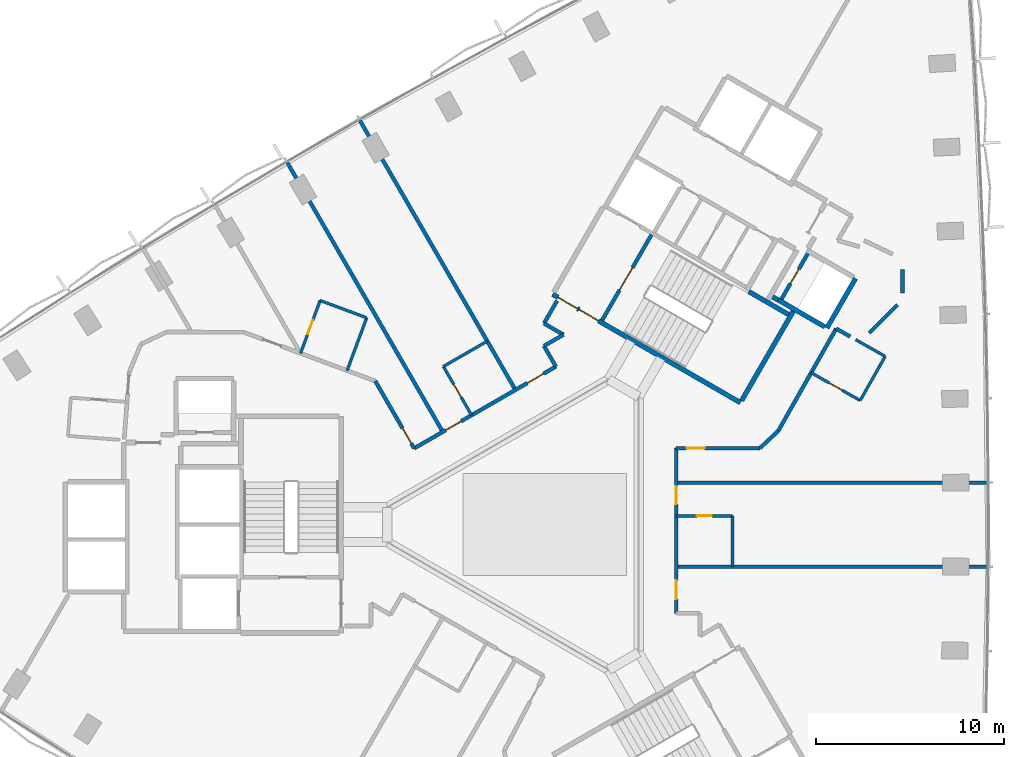
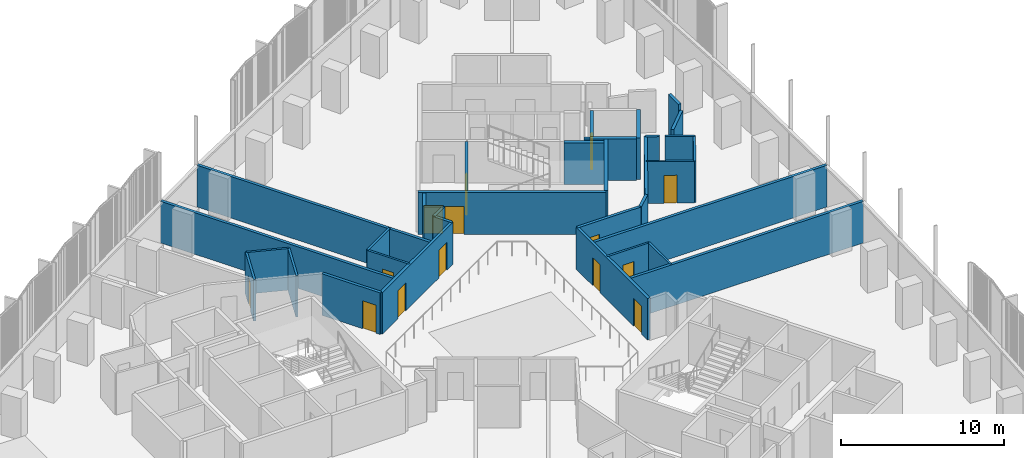
# One storey, part 10 of 15: 35 walls, 14 doors, 14 openings.
"""IFC4 building model written with IfcOpenShell, lengths in metres."""

from ifc_helpers import new_model, si_unit, direction, frame, frame_2d, origin, place, context, subcontext, project, spatial, rectangle, extrude, material, layer, layer_set, type_object, element, fill, save


model = new_model("IFC4")

# Units and contexts
model_context = context("Model", 3, precision=1e-05, world=origin(), true_north=direction((0.0, 1.0)))
body_context = subcontext(model_context, "Body", "Model", "MODEL_VIEW")
ifc_project = project(units=[si_unit("LENGTHUNIT", "METRE"), si_unit("AREAUNIT", "SQUARE_METRE"), si_unit("VOLUMEUNIT", "CUBIC_METRE"), si_unit("PLANEANGLEUNIT", "RADIAN"), si_unit("MASSUNIT", "GRAM", prefix="KILO")], contexts=[model_context])

# Site, building, storey
site_placement = place(None, origin())
site = spatial("IfcSite", under=ifc_project, at=site_placement, CompositionType="ELEMENT")
building_placement = place(site_placement, origin())
building = spatial("IfcBuilding", under=site, at=building_placement, Name="Tamra Quay Hotel Tower", CompositionType="ELEMENT")
storey_placement = place(building_placement, frame((0.0, 0.0, 35.0)))
storey = spatial("IfcBuildingStorey", under=building, at=storey_placement, Name="L06", CompositionType="ELEMENT", Elevation=35.0)

# Wall, opening, door
ifc_material_1 = material(Name="Concrete M70", Category="concrete")
ifc_layer_1 = layer(ifc_material_1, 0.199951171875)
ifc_layer_set_1 = layer_set([ifc_layer_1], Name="Concrete M70 core wall 200")
wall_type_1 = type_object("IfcWallType", Name="Concrete M70 core wall 200", PredefinedType="SHEAR", material=ifc_layer_set_1)
wall_1_placement = place(storey_placement, frame((3.056640625, 10.89453125, 0.0), z_axis=(0.0, 0.0, 1.0), x_axis=(0.499989418164, 0.866031513124, 0.0)))
wall_1 = element("IfcWall", 1, at=wall_1_placement, inside=storey, type_object=wall_type_1, Name="CW2", PredefinedType="SHEAR", context=body_context, shape_type="SweptSolid", body=[
    extrude(rectangle(XDim=5.2509765625, YDim=0.199951171875, at=frame_2d((2.62548828125, 0.0))), origin(), (0.0, 0.0, 1.0), 3.125),
])
opening_1_placement = place(wall_1_placement, frame((1.84912109375, 0.0, 0.0)))
opening_1 = element("IfcOpeningElement", 2, at=opening_1_placement, cuts=wall_1, Name="Opening FD2", PredefinedType="OPENING", context=body_context, shape_type="SweptSolid", body=[
    extrude(rectangle(XDim=1.39990234375, YDim=2.10009765625, at=frame_2d((0.699951171875, 1.050048828125))), frame((0.0, 0.10986328125, 0.0), z_axis=(0.0, -1.0, 0.0), x_axis=(1.0, 0.0, 0.0)), (0.0, 0.0, 1.0), 0.219970703125),
])
ifc_material_2 = material(Name="Core door FD2 1400x2100 LH")
door_type_1 = type_object("IfcDoorType", Name="Core door FD2 1400x2100 LH", OperationType="NOTDEFINED", PredefinedType="DOOR", material=ifc_material_2)
door_1_placement = place(opening_1_placement, origin())
door_1 = element("IfcDoor", 3, at=door_1_placement, inside=storey, type_object=door_type_1, Name="FD2", OperationType="SINGLE_SWING_LEFT", OverallHeight=2.10009765625, OverallWidth=1.39990234375, PredefinedType="DOOR", context=body_context, shape_type="SweptSolid", body=[
    extrude(rectangle(XDim=1.39990234375, YDim=2.10009765625, at=frame_2d((0.699951171875, 1.050048828125))), frame((0.0, 0.02490234375, 0.0), z_axis=(0.0, -1.0, 0.0), x_axis=(1.0, 0.0, 0.0)), (0.0, 0.0, 1.0), 0.050048828125),
])
fill(opening_1, door_1)

wall_2_placement = place(storey_placement, frame((14.0078125, 14.442138671875, 0.0), z_axis=(0.0, 0.0, 1.0), x_axis=(-0.499986818241, -0.866033014143, 0.0)))
wall_2 = element("IfcWall", 4, at=wall_2_placement, inside=storey, type_object=wall_type_1, Name="CW2", PredefinedType="SHEAR", context=body_context, shape_type="SweptSolid", body=[
    extrude(rectangle(XDim=2.7978515625, YDim=0.199951171875, at=frame_2d((1.39892578125, 0.0))), origin(), (0.0, 0.0, 1.0), 3.125),
])
opening_2_placement = place(wall_2_placement, frame((0.948974609375, 0.0, 0.0)))
opening_2 = element("IfcOpeningElement", 5, at=opening_2_placement, cuts=wall_2, Name="Opening D1", PredefinedType="OPENING", context=body_context, shape_type="SweptSolid", body=[
    extrude(rectangle(XDim=0.89990234375, YDim=2.10009765625, at=frame_2d((0.449951171875, 1.050048828125))), frame((0.0, 0.10986328125, 0.0), z_axis=(0.0, -1.0, 0.0), x_axis=(1.0, 0.0, 0.0)), (0.0, 0.0, 1.0), 0.219970703125),
])
ifc_material_3 = material(Name="Core door D1 900x2100 RH")
door_type_2 = type_object("IfcDoorType", Name="Core door D1 900x2100 RH", OperationType="NOTDEFINED", PredefinedType="DOOR", material=ifc_material_3)
door_2_placement = place(opening_2_placement, origin())
door_2 = element("IfcDoor", 6, at=door_2_placement, inside=storey, type_object=door_type_2, Name="D1", OperationType="SINGLE_SWING_RIGHT", OverallHeight=2.10009765625, OverallWidth=0.89990234375, PredefinedType="DOOR", context=body_context, shape_type="SweptSolid", body=[
    extrude(rectangle(XDim=0.89990234375, YDim=2.10009765625, at=frame_2d((0.449951171875, 1.050048828125))), frame((0.0, 0.02490234375, 0.0), z_axis=(0.0, -1.0, 0.0), x_axis=(1.0, 0.0, 0.0)), (0.0, 0.0, 1.0), 0.050048828125),
])
fill(opening_2, door_2)

# Wall, openings, doors
ifc_layer_2 = layer(ifc_material_1, 0.25)
ifc_layer_set_2 = layer_set([ifc_layer_2], Name="Concrete M70 core wall 250")
wall_type_2 = type_object("IfcWallType", Name="Concrete M70 core wall 250", PredefinedType="SHEAR", material=ifc_layer_set_2)
wall_3_placement = place(storey_placement, frame((10.419921875, 6.497802734375, 0.0), z_axis=(0.0, 0.0, 1.0), x_axis=(-0.866021906294, 0.500006057782, 0.0)))
wall_3 = element("IfcWall", 7, at=wall_3_placement, inside=storey, type_object=wall_type_2, Name="CW1", PredefinedType="SHEAR", context=body_context, shape_type="SweptSolid", body=[
    extrude(rectangle(XDim=11.550048828125, YDim=0.25, at=frame_2d((5.77490234375, 0.0))), origin(), (0.0, 0.0, 1.0), 3.125),
])
opening_3_placement = place(wall_3_placement, frame((10.02490234375, 0.0, 0.0)))
opening_3 = element("IfcOpeningElement", 8, at=opening_3_placement, cuts=wall_3, Name="Opening FD1", PredefinedType="OPENING", context=body_context, shape_type="SweptSolid", body=[
    extrude(rectangle(XDim=1.199951171875, YDim=2.10009765625, at=frame_2d((0.60009765625, 1.050048828125))), frame((0.0, 0.135009765625, 0.0), z_axis=(0.0, -1.0, 0.0), x_axis=(1.0, 0.0, 0.0)), (0.0, 0.0, 1.0), 0.27001953125),
])
opening_4_placement = place(wall_3_placement, frame((8.724853515625, 0.0, 0.0)))
opening_4 = element("IfcOpeningElement", 9, at=opening_4_placement, cuts=wall_3, Name="Opening FD1", PredefinedType="OPENING", context=body_context, shape_type="SweptSolid", body=[
    extrude(rectangle(XDim=1.199951171875, YDim=2.10009765625, at=frame_2d((0.60009765625, 1.050048828125))), frame((0.0, 0.135009765625, 0.0), z_axis=(0.0, -1.0, 0.0), x_axis=(1.0, 0.0, 0.0)), (0.0, 0.0, 1.0), 0.27001953125),
])
ifc_material_4 = material(Name="Core door FD1 1200x2100 LH")
door_type_3 = type_object("IfcDoorType", Name="Core door FD1 1200x2100 LH", OperationType="NOTDEFINED", PredefinedType="DOOR", material=ifc_material_4)
door_3_placement = place(opening_3_placement, origin())
door_3 = element("IfcDoor", 10, at=door_3_placement, inside=storey, type_object=door_type_3, Name="FD1", OperationType="SINGLE_SWING_LEFT", OverallHeight=2.10009765625, OverallWidth=1.199951171875, PredefinedType="DOOR", context=body_context, shape_type="SweptSolid", body=[
    extrude(rectangle(XDim=1.199951171875, YDim=2.10009765625, at=frame_2d((0.60009765625, 1.050048828125))), frame((0.0, 0.02490234375, 0.0), z_axis=(0.0, -1.0, 0.0), x_axis=(1.0, 0.0, 0.0)), (0.0, 0.0, 1.0), 0.050048828125),
])
fill(opening_3, door_3)
ifc_material_5 = material(Name="Core door FD1 1200x2100 RH")
door_type_4 = type_object("IfcDoorType", Name="Core door FD1 1200x2100 RH", OperationType="NOTDEFINED", PredefinedType="DOOR", material=ifc_material_5)
door_4_placement = place(opening_4_placement, origin())
door_4 = element("IfcDoor", 11, at=door_4_placement, inside=storey, type_object=door_type_4, Name="FD1", OperationType="SINGLE_SWING_RIGHT", OverallHeight=2.10009765625, OverallWidth=1.199951171875, PredefinedType="DOOR", context=body_context, shape_type="SweptSolid", body=[
    extrude(rectangle(XDim=1.199951171875, YDim=2.10009765625, at=frame_2d((0.60009765625, 1.050048828125))), frame((0.0, 0.02490234375, 0.0), z_axis=(0.0, -1.0, 0.0), x_axis=(1.0, 0.0, 0.0)), (0.0, 0.0, 1.0), 0.050048828125),
])
fill(opening_4, door_4)

# Walls
wall_4_placement = place(storey_placement, frame((13.237548828125, 11.3779296875, 0.0), z_axis=(0.0, 0.0, 1.0), x_axis=(-0.500008851346, -0.866020293397, 0.0)))
element("IfcWall", 12, at=wall_4_placement, inside=storey, type_object=wall_type_2, Name="CW1", PredefinedType="SHEAR", context=body_context, shape_type="SweptSolid", body=[
    extrude(rectangle(XDim=5.509765625, YDim=0.25, at=frame_2d((2.7548828125, 0.0))), origin(), (0.0, 0.0, 1.0), 3.125),
])
wall_5_placement = place(storey_placement, frame((16.552001953125, 13.118896484375, 0.0), z_axis=(0.0, 0.0, 1.0), x_axis=(-0.499978833458, -0.866037623948, 0.0)))
element("IfcWall", 13, at=wall_5_placement, inside=storey, type_object=wall_type_2, Name="CW1", PredefinedType="SHEAR", context=body_context, shape_type="SweptSolid", body=[
    extrude(rectangle(XDim=3.050048828125, YDim=0.25, at=frame_2d((1.52490234375, 0.0))), origin(), (0.0, 0.0, 1.0), 3.125),
])
wall_6_placement = place(storey_placement, frame((14.91845703125, 10.540283203125, 0.0), z_axis=(0.0, 0.0, 1.0), x_axis=(-0.866063538972, 0.499933942099, 0.0)))
element("IfcWall", 14, at=wall_6_placement, inside=storey, type_object=wall_type_2, Name="CW1", PredefinedType="SHEAR", context=body_context, shape_type="SweptSolid", body=[
    extrude(rectangle(XDim=2.86474609375, YDim=0.25, at=frame_2d((1.432373046875, 0.0))), origin(), (0.0, 0.0, 1.0), 3.125),
])
wall_7_placement = place(storey_placement, frame((10.865234375, 12.41845703125, 0.0), z_axis=(0.0, 0.0, 1.0), x_axis=(0.866026229868, -0.499998569178, 0.0)))
element("IfcWall", 15, at=wall_7_placement, inside=storey, type_object=wall_type_2, Name="CW1", PredefinedType="SHEAR", context=body_context, shape_type="SweptSolid", body=[
    extrude(rectangle(XDim=2.44921875, YDim=0.25, at=frame_2d((1.224609375, 0.0))), origin(), (0.0, 0.0, 1.0), 3.125),
])
wall_8_placement = place(storey_placement, frame((12.4326171875, 11.9638671875, 0.0), z_axis=(0.0, 0.0, 1.0), x_axis=(-0.866055875208, 0.499947218231, 0.0)))
element("IfcWall", 16, at=wall_8_placement, inside=storey, type_object=wall_type_2, Name="CW1", PredefinedType="SHEAR", context=body_context, shape_type="SweptSolid", body=[
    extrude(rectangle(XDim=0.3447265625, YDim=0.25, at=frame_2d((0.17236328125, 0.0))), origin(), (0.0, 0.0, 1.0), 3.125),
])

# Wall, opening, door
ifc_material_6 = material(Name="Partition corridor wall")
ifc_layer_3 = layer(ifc_material_6, 0.199951171875)
ifc_layer_set_3 = layer_set([ifc_layer_3], Name="Partition corridor wall")
wall_type_3 = type_object("IfcWallType", Name="Partition corridor wall", PredefinedType="PARTITIONING", material=ifc_layer_set_3)
wall_9_placement = place(storey_placement, frame((-9.032958984375, 7.652099609375, 0.0), z_axis=(0.0, 0.0, 1.0), x_axis=(0.500074377092, -0.865982457891, 0.0)))
wall_9 = element("IfcWall", 17, at=wall_9_placement, inside=storey, type_object=wall_type_3, Name="W-C", PredefinedType="PARTITIONING", context=body_context, shape_type="SweptSolid", body=[
    extrude(rectangle(XDim=4.143310546875, YDim=0.199951171875, at=frame_2d((2.07177734375, 0.0))), origin(), (0.0, 0.0, 1.0), 3.125),
])
opening_5_placement = place(wall_9_placement, frame((2.895263671875, 0.0, 0.0)))
opening_5 = element("IfcOpeningElement", 18, at=opening_5_placement, cuts=wall_9, Name="Opening L06-D009", PredefinedType="OPENING", context=body_context, shape_type="SweptSolid", body=[
    extrude(rectangle(XDim=0.949951171875, YDim=2.10009765625, at=frame_2d((0.47509765625, 1.050048828125))), frame((0.0, 0.10986328125, 0.0), z_axis=(0.0, -1.0, 0.0), x_axis=(1.0, 0.0, 0.0)), (0.0, 0.0, 1.0), 0.219970703125),
])
ifc_material_7 = material(Name="Door guest room 950x2100")
door_type_5 = type_object("IfcDoorType", Name="Door guest room 950x2100", OperationType="NOTDEFINED", PredefinedType="DOOR", material=ifc_material_7)
door_5_placement = place(opening_5_placement, frame((0.949951171875, 0.0, 0.0), z_axis=(0.0, 0.0, 1.0), x_axis=(-1.0, 0.0, 0.0)))
door_5 = element("IfcDoor", 19, at=door_5_placement, inside=storey, type_object=door_type_5, Name="L06-D009", OperationType="SINGLE_SWING_LEFT", OverallHeight=2.10009765625, OverallWidth=0.949951171875, PredefinedType="DOOR", context=body_context, shape_type="SweptSolid", body=[
    extrude(rectangle(XDim=0.949951171875, YDim=2.10009765625, at=frame_2d((0.47509765625, 1.050048828125))), frame((0.0, 0.02490234375, 0.0), z_axis=(0.0, -1.0, 0.0), x_axis=(1.0, 0.0, 0.0)), (0.0, 0.0, 1.0), 0.050048828125),
])
fill(opening_5, door_5)

# Wall, openings, doors
wall_10_placement = place(storey_placement, frame((-6.961669921875, 4.06494140625, 0.0), z_axis=(0.0, 0.0, 1.0), x_axis=(0.866089531713, 0.499888910716, 0.0)))
wall_10 = element("IfcWall", 20, at=wall_10_placement, inside=storey, type_object=wall_type_3, Name="W-C", PredefinedType="PARTITIONING", context=body_context, shape_type="SweptSolid", body=[
    extrude(rectangle(XDim=8.71826171875, YDim=0.199951171875, at=frame_2d((4.359130859375, 0.0))), origin(), (0.0, 0.0, 1.0), 3.125),
])
opening_6_placement = place(wall_10_placement, frame((6.96875, 0.0, 0.0)))
opening_6 = element("IfcOpeningElement", 21, at=opening_6_placement, cuts=wall_10, Name="Opening L06-D006", PredefinedType="OPENING", context=body_context, shape_type="SweptSolid", body=[
    extrude(rectangle(XDim=1.0, YDim=2.10009765625, at=frame_2d((0.5, 1.050048828125))), frame((0.0, 0.10986328125, 0.0), z_axis=(0.0, -1.0, 0.0), x_axis=(1.0, 0.0, 0.0)), (0.0, 0.0, 1.0), 0.219970703125),
])
opening_7_placement = place(wall_10_placement, frame((1.949462890625, 0.0, 0.0)))
opening_7 = element("IfcOpeningElement", 22, at=opening_7_placement, cuts=wall_10, Name="Opening L06-D007", PredefinedType="OPENING", context=body_context, shape_type="SweptSolid", body=[
    extrude(rectangle(XDim=0.949951171875, YDim=2.10009765625, at=frame_2d((0.47509765625, 1.050048828125))), frame((0.0, 0.10986328125, 0.0), z_axis=(0.0, -1.0, 0.0), x_axis=(1.0, 0.0, 0.0)), (0.0, 0.0, 1.0), 0.219970703125),
])
ifc_material_8 = material(Name="Door guest room 1000x2100")
door_type_6 = type_object("IfcDoorType", Name="Door guest room 1000x2100", OperationType="NOTDEFINED", PredefinedType="DOOR", material=ifc_material_8)
door_6_placement = place(opening_6_placement, origin())
door_6 = element("IfcDoor", 23, at=door_6_placement, inside=storey, type_object=door_type_6, Name="L06-D006", OperationType="SINGLE_SWING_LEFT", OverallHeight=2.10009765625, OverallWidth=1.0, PredefinedType="DOOR", context=body_context, shape_type="SweptSolid", body=[
    extrude(rectangle(XDim=1.0, YDim=2.10009765625, at=frame_2d((0.5, 1.050048828125))), frame((0.0, 0.02490234375, 0.0), z_axis=(0.0, -1.0, 0.0), x_axis=(1.0, 0.0, 0.0)), (0.0, 0.0, 1.0), 0.050048828125),
])
fill(opening_6, door_6)
door_7_placement = place(opening_7_placement, origin())
door_7 = element("IfcDoor", 24, at=door_7_placement, inside=storey, type_object=door_type_5, Name="L06-D007", OperationType="SINGLE_SWING_LEFT", OverallHeight=2.10009765625, OverallWidth=0.949951171875, PredefinedType="DOOR", context=body_context, shape_type="SweptSolid", body=[
    extrude(rectangle(XDim=0.949951171875, YDim=2.10009765625, at=frame_2d((0.47509765625, 1.050048828125))), frame((0.0, 0.02490234375, 0.0), z_axis=(0.0, -1.0, 0.0), x_axis=(1.0, 0.0, 0.0)), (0.0, 0.0, 1.0), 0.050048828125),
])
fill(opening_7, door_7)

# Walls
wall_11_placement = place(storey_placement, frame((-0.044921875, 9.52197265625, 0.0), z_axis=(0.0, 0.0, 1.0), x_axis=(0.86625675314, 0.499599076899, 0.0)))
element("IfcWall", 25, at=wall_11_placement, inside=storey, type_object=wall_type_3, Name="W-C", PredefinedType="PARTITIONING", context=body_context, shape_type="SweptSolid", body=[
    extrude(rectangle(XDim=1.19921875, YDim=0.199951171875, at=frame_2d((0.599609375, 0.0))), origin(), (0.0, 0.0, 1.0), 3.125),
])
wall_12_placement = place(storey_placement, frame((-0.044921875, 10.721923828125, 0.0), z_axis=(0.0, 0.0, 1.0), x_axis=(0.500107785535, 0.865963164833, 0.0)))
element("IfcWall", 26, at=wall_12_placement, inside=storey, type_object=wall_type_3, Name="W-C", PredefinedType="PARTITIONING", context=body_context, shape_type="SweptSolid", body=[
    extrude(rectangle(XDim=1.389404296875, YDim=0.199951171875, at=frame_2d((0.69482421875, 0.0))), origin(), (0.0, 0.0, 1.0), 3.125),
])
wall_13_placement = place(storey_placement, frame((-0.044921875, 9.52099609375, 0.0), z_axis=(0.0, 0.0, 1.0), x_axis=(0.500094716449, -0.865970712311, 0.0)))
element("IfcWall", 27, at=wall_13_placement, inside=storey, type_object=wall_type_3, Name="W-C", PredefinedType="PARTITIONING", context=body_context, shape_type="SweptSolid", body=[
    extrude(rectangle(XDim=1.267822265625, YDim=0.199951171875, at=frame_2d((0.6337890625, 0.0))), origin(), (0.0, 0.0, 1.0), 3.125),
])
wall_14_placement = place(storey_placement, frame((-0.044921875, 10.720947265625, 0.0), z_axis=(0.0, 0.0, 1.0), x_axis=(0.865992388649, -0.500057179532, 0.0)))
element("IfcWall", 28, at=wall_14_placement, inside=storey, type_object=wall_type_3, Name="W-C", PredefinedType="PARTITIONING", context=body_context, shape_type="SweptSolid", body=[
    extrude(rectangle(XDim=1.199462890625, YDim=0.199951171875, at=frame_2d((0.599609375, 0.0))), origin(), (0.0, 0.0, 1.0), 3.125),
])

# Wall, openings, doors
wall_15_placement = place(storey_placement, frame((7.0, -4.720947265625, 0.0), z_axis=(0.0, 0.0, 1.0), x_axis=(0.0, 1.0, 0.0)))
wall_15 = element("IfcWall", 29, at=wall_15_placement, inside=storey, type_object=wall_type_3, Name="W-C", PredefinedType="PARTITIONING", context=body_context, shape_type="SweptSolid", body=[
    extrude(rectangle(XDim=8.798828125, YDim=0.199951171875, at=frame_2d((4.3994140625, 0.0))), origin(), (0.0, 0.0, 1.0), 3.125),
])
opening_8_placement = place(wall_15_placement, frame((0.7490234375, 0.0, 0.0)))
opening_8 = element("IfcOpeningElement", 30, at=opening_8_placement, cuts=wall_15, Name="Opening L06-D001", PredefinedType="OPENING", context=body_context, shape_type="SweptSolid", body=[
    extrude(rectangle(XDim=1.0, YDim=2.10009765625, at=frame_2d((0.5, 1.050048828125))), frame((0.0, 0.10986328125, 0.0), z_axis=(0.0, -1.0, 0.0), x_axis=(1.0, 0.0, 0.0)), (0.0, 0.0, 1.0), 0.219970703125),
])
opening_9_placement = place(wall_15_placement, frame((5.818115234375, 0.0, 0.0)))
opening_9 = element("IfcOpeningElement", 31, at=opening_9_placement, cuts=wall_15, Name="Opening L06-D002", PredefinedType="OPENING", context=body_context, shape_type="SweptSolid", body=[
    extrude(rectangle(XDim=0.949951171875, YDim=2.10009765625, at=frame_2d((0.47509765625, 1.050048828125))), frame((0.0, 0.10986328125, 0.0), z_axis=(0.0, -1.0, 0.0), x_axis=(1.0, 0.0, 0.0)), (0.0, 0.0, 1.0), 0.219970703125),
])
door_8_placement = place(opening_8_placement, frame((1.0, 0.0, 0.0), z_axis=(0.0, 0.0, 1.0), x_axis=(-1.0, 0.0, 0.0)))
door_8 = element("IfcDoor", 32, at=door_8_placement, inside=storey, type_object=door_type_6, Name="L06-D001", OperationType="SINGLE_SWING_LEFT", OverallHeight=2.10009765625, OverallWidth=1.0, PredefinedType="DOOR", context=body_context, shape_type="SweptSolid", body=[
    extrude(rectangle(XDim=1.0, YDim=2.10009765625, at=frame_2d((0.5, 1.050048828125))), frame((0.0, 0.02490234375, 0.0), z_axis=(0.0, -1.0, 0.0), x_axis=(1.0, 0.0, 0.0)), (0.0, 0.0, 1.0), 0.050048828125),
])
fill(opening_8, door_8)
door_9_placement = place(opening_9_placement, frame((0.949951171875, 0.0, 0.0), z_axis=(0.0, 0.0, 1.0), x_axis=(-1.0, 0.0, 0.0)))
door_9 = element("IfcDoor", 33, at=door_9_placement, inside=storey, type_object=door_type_5, Name="L06-D002", OperationType="SINGLE_SWING_LEFT", OverallHeight=2.10009765625, OverallWidth=0.949951171875, PredefinedType="DOOR", context=body_context, shape_type="SweptSolid", body=[
    extrude(rectangle(XDim=0.949951171875, YDim=2.10009765625, at=frame_2d((0.47509765625, 1.050048828125))), frame((0.0, 0.02490234375, 0.0), z_axis=(0.0, -1.0, 0.0), x_axis=(1.0, 0.0, 0.0)), (0.0, 0.0, 1.0), 0.050048828125),
])
fill(opening_9, door_9)

# Wall, opening, door
wall_16_placement = place(storey_placement, frame((7.0, 4.077880859375, 0.0), z_axis=(0.0, 0.0, 1.0), x_axis=(1.0, 0.0, 0.0)))
wall_16 = element("IfcWall", 34, at=wall_16_placement, inside=storey, type_object=wall_type_3, Name="W-C", PredefinedType="PARTITIONING", context=body_context, shape_type="SweptSolid", body=[
    extrude(rectangle(XDim=4.4580078125, YDim=0.199951171875, at=frame_2d((2.22900390625, 0.0))), origin(), (0.0, 0.0, 1.0), 3.125),
])
opening_10_placement = place(wall_16_placement, frame((0.55810546875, 0.0, 0.0)))
opening_10 = element("IfcOpeningElement", 35, at=opening_10_placement, cuts=wall_16, Name="Opening L06-D004", PredefinedType="OPENING", context=body_context, shape_type="SweptSolid", body=[
    extrude(rectangle(XDim=0.949951171875, YDim=2.10009765625, at=frame_2d((0.47509765625, 1.050048828125))), frame((0.0, 0.10986328125, 0.0), z_axis=(0.0, -1.0, 0.0), x_axis=(1.0, 0.0, 0.0)), (0.0, 0.0, 1.0), 0.219970703125),
])
door_10_placement = place(opening_10_placement, origin())
door_10 = element("IfcDoor", 36, at=door_10_placement, inside=storey, type_object=door_type_5, Name="L06-D004", OperationType="SINGLE_SWING_LEFT", OverallHeight=2.10009765625, OverallWidth=0.949951171875, PredefinedType="DOOR", context=body_context, shape_type="SweptSolid", body=[
    extrude(rectangle(XDim=0.949951171875, YDim=2.10009765625, at=frame_2d((0.47509765625, 1.050048828125))), frame((0.0, 0.02490234375, 0.0), z_axis=(0.0, -1.0, 0.0), x_axis=(1.0, 0.0, 0.0)), (0.0, 0.0, 1.0), 0.050048828125),
])
fill(opening_10, door_10)

# Walls
wall_17_placement = place(storey_placement, frame((11.4580078125, 4.077880859375, 0.0), z_axis=(0.0, 0.0, 1.0), x_axis=(0.729936032318, 0.683515463412, 0.0)))
element("IfcWall", 37, at=wall_17_placement, inside=storey, type_object=wall_type_3, Name="W-C", PredefinedType="PARTITIONING", context=body_context, shape_type="SweptSolid", body=[
    extrude(rectangle(XDim=1.3359375, YDim=0.199951171875, at=frame_2d((0.66796875, 0.0))), origin(), (0.0, 0.0, 1.0), 3.125),
])
wall_18_placement = place(storey_placement, frame((12.43310546875, 4.991943359375, 0.0), z_axis=(0.0, 0.0, 1.0), x_axis=(0.492575945335, 0.870269462912, 0.0)))
element("IfcWall", 38, at=wall_18_placement, inside=storey, type_object=wall_type_3, Name="W-C", PredefinedType="PARTITIONING", context=body_context, shape_type="SweptSolid", body=[
    extrude(rectangle(XDim=6.264892578125, YDim=0.199951171875, at=frame_2d((3.13232421875, 0.0))), origin(), (0.0, 0.0, 1.0), 3.125),
])
wall_19_placement = place(storey_placement, frame((15.51904296875, 10.444091796875, 0.0), z_axis=(0.0, 0.0, 1.0), x_axis=(0.870222202109, -0.492659435063, 0.0)))
element("IfcWall", 39, at=wall_19_placement, inside=storey, type_object=wall_type_3, Name="W-C", PredefinedType="PARTITIONING", context=body_context, shape_type="SweptSolid", body=[
    extrude(rectangle(XDim=0.854736328125, YDim=0.199951171875, at=frame_2d((0.42724609375, 0.0))), origin(), (0.0, 0.0, 1.0), 3.125),
])
wall_20_placement = place(storey_placement, frame((17.287109375, 10.212890625, 0.0), z_axis=(0.0, 0.0, 1.0), x_axis=(0.706819117262, 0.707394328132, 0.0)))
element("IfcWall", 40, at=wall_20_placement, inside=storey, type_object=wall_type_3, Name="W-C", PredefinedType="PARTITIONING", context=body_context, shape_type="SweptSolid", body=[
    extrude(rectangle(XDim=2.1220703125, YDim=0.199951171875, at=frame_2d((1.06103515625, 0.0))), origin(), (0.0, 0.0, 1.0), 3.125),
])
wall_21_placement = place(storey_placement, frame((19.050048828125, 12.34912109375, 0.0), z_axis=(0.0, 0.0, 1.0), x_axis=(0.0, 1.0, 0.0)))
element("IfcWall", 41, at=wall_21_placement, inside=storey, type_object=wall_type_3, Name="W-C", PredefinedType="PARTITIONING", context=body_context, shape_type="SweptSolid", body=[
    extrude(rectangle(XDim=1.25, YDim=0.199951171875, at=frame_2d((0.625, 0.0))), origin(), (0.0, 0.0, 1.0), 3.125),
])

# Wall, opening, door
ifc_material_9 = material(Name="Partition en-suite wall")
ifc_layer_4 = layer(ifc_material_9, 0.14990234375)
ifc_layer_set_4 = layer_set([ifc_layer_4], Name="Partition en-suite wall")
wall_type_4 = type_object("IfcWallType", Name="Partition en-suite wall", PredefinedType="PARTITIONING", material=ifc_layer_set_4)
wall_22_placement = place(storey_placement, frame((-13.012939453125, 9.12890625, 0.0), z_axis=(0.0, 0.0, 1.0), x_axis=(0.347929104424, 0.937520846859, 0.0)))
wall_22 = element("IfcWall", 42, at=wall_22_placement, inside=storey, type_object=wall_type_4, Name="W-E", PredefinedType="PARTITIONING", context=body_context, shape_type="SweptSolid", body=[
    extrude(rectangle(XDim=3.00048828125, YDim=0.14990234375, at=frame_2d((1.500244140625, 0.0))), origin(), (0.0, 0.0, 1.0), 3.125),
])
opening_11_placement = place(wall_22_placement, frame((1.10009765625, 0.0, 0.0)))
opening_11 = element("IfcOpeningElement", 43, at=opening_11_placement, cuts=wall_22, Name="Opening L06-D010", PredefinedType="OPENING", context=body_context, shape_type="SweptSolid", body=[
    extrude(rectangle(XDim=0.800048828125, YDim=2.10009765625, at=frame_2d((0.39990234375, 1.050048828125))), frame((0.0, 0.0849609375, 0.0), z_axis=(0.0, -1.0, 0.0), x_axis=(1.0, 0.0, 0.0)), (0.0, 0.0, 1.0), 0.169921875),
])
ifc_material_10 = material(Name="Door en-suite 800x2100")
door_type_7 = type_object("IfcDoorType", Name="Door en-suite 800x2100", OperationType="NOTDEFINED", PredefinedType="DOOR", material=ifc_material_10)
door_11_placement = place(opening_11_placement, origin())
door_11 = element("IfcDoor", 44, at=door_11_placement, inside=storey, type_object=door_type_7, Name="L06-D010", OperationType="SINGLE_SWING_LEFT", OverallHeight=2.10009765625, OverallWidth=0.800048828125, PredefinedType="DOOR", context=body_context, shape_type="SweptSolid", body=[
    extrude(rectangle(XDim=0.800048828125, YDim=2.10009765625, at=frame_2d((0.39990234375, 1.050048828125))), frame((0.0, 0.02490234375, 0.0), z_axis=(0.0, -1.0, 0.0), x_axis=(1.0, 0.0, 0.0)), (0.0, 0.0, 1.0), 0.050048828125),
])
fill(opening_11, door_11)

# Walls
wall_23_placement = place(storey_placement, frame((-11.968994140625, 11.94189453125, 0.0), z_axis=(0.0, 0.0, 1.0), x_axis=(0.93745453053, -0.348107746521, 0.0)))
element("IfcWall", 45, at=wall_23_placement, inside=storey, type_object=wall_type_4, Name="W-E", PredefinedType="PARTITIONING", context=body_context, shape_type="SweptSolid", body=[
    extrude(rectangle(XDim=2.6455078125, YDim=0.14990234375, at=frame_2d((1.32275390625, 0.0))), origin(), (0.0, 0.0, 1.0), 3.125),
])
wall_24_placement = place(storey_placement, frame((-10.532958984375, 8.208984375, 0.0), z_axis=(0.0, 0.0, 1.0), x_axis=(0.348035300423, 0.937481428968, 0.0)))
element("IfcWall", 46, at=wall_24_placement, inside=storey, type_object=wall_type_4, Name="W-E", PredefinedType="PARTITIONING", context=body_context, shape_type="SweptSolid", body=[
    extrude(rectangle(XDim=2.99951171875, YDim=0.14990234375, at=frame_2d((1.499755859375, 0.0))), origin(), (0.0, 0.0, 1.0), 3.125),
])
wall_25_placement = place(storey_placement, frame((-5.402099609375, 8.427978515625, 0.0), z_axis=(0.0, 0.0, 1.0), x_axis=(0.86599734893, 0.500048589285, 0.0)))
element("IfcWall", 47, at=wall_25_placement, inside=storey, type_object=wall_type_4, Name="W-E", PredefinedType="PARTITIONING", context=body_context, shape_type="SweptSolid", body=[
    extrude(rectangle(XDim=2.699951171875, YDim=0.14990234375, at=frame_2d((1.35009765625, 0.0))), origin(), (0.0, 0.0, 1.0), 3.125),
])

# Wall, opening, door
wall_26_placement = place(storey_placement, frame((-5.402099609375, 8.427978515625, 0.0), z_axis=(0.0, 0.0, 1.0), x_axis=(0.50002537861, -0.866010750942, 0.0)))
wall_26 = element("IfcWall", 48, at=wall_26_placement, inside=storey, type_object=wall_type_4, Name="W-E", PredefinedType="PARTITIONING", context=body_context, shape_type="SweptSolid", body=[
    extrude(rectangle(XDim=2.999755859375, YDim=0.14990234375, at=frame_2d((1.5, 0.0))), origin(), (0.0, 0.0, 1.0), 3.125),
])
opening_12_placement = place(wall_26_placement, frame((1.099609375, 0.0, 0.0)))
opening_12 = element("IfcOpeningElement", 49, at=opening_12_placement, cuts=wall_26, Name="Opening L06-D008", PredefinedType="OPENING", context=body_context, shape_type="SweptSolid", body=[
    extrude(rectangle(XDim=0.800048828125, YDim=2.10009765625, at=frame_2d((0.39990234375, 1.050048828125))), frame((0.0, 0.0849609375, 0.0), z_axis=(0.0, -1.0, 0.0), x_axis=(1.0, 0.0, 0.0)), (0.0, 0.0, 1.0), 0.169921875),
])
door_12_placement = place(opening_12_placement, origin())
door_12 = element("IfcDoor", 50, at=door_12_placement, inside=storey, type_object=door_type_7, Name="L06-D008", OperationType="SINGLE_SWING_LEFT", OverallHeight=2.10009765625, OverallWidth=0.800048828125, PredefinedType="DOOR", context=body_context, shape_type="SweptSolid", body=[
    extrude(rectangle(XDim=0.800048828125, YDim=2.10009765625, at=frame_2d((0.39990234375, 1.050048828125))), frame((0.0, 0.02490234375, 0.0), z_axis=(0.0, -1.0, 0.0), x_axis=(1.0, 0.0, 0.0)), (0.0, 0.0, 1.0), 0.050048828125),
])
fill(opening_12, door_12)

wall_27_placement = place(storey_placement, frame((7.0, 0.465087890625, 0.0), z_axis=(0.0, 0.0, 1.0), x_axis=(1.0, 0.0, 0.0)))
wall_27 = element("IfcWall", 51, at=wall_27_placement, inside=storey, type_object=wall_type_4, Name="W-E", PredefinedType="PARTITIONING", context=body_context, shape_type="SweptSolid", body=[
    extrude(rectangle(XDim=3.0, YDim=0.14990234375, at=frame_2d((1.5, 0.0))), origin(), (0.0, 0.0, 1.0), 3.125),
])
opening_13_placement = place(wall_27_placement, frame((1.10009765625, 0.0, 0.0)))
opening_13 = element("IfcOpeningElement", 52, at=opening_13_placement, cuts=wall_27, Name="Opening L06-D003", PredefinedType="OPENING", context=body_context, shape_type="SweptSolid", body=[
    extrude(rectangle(XDim=0.800048828125, YDim=2.10009765625, at=frame_2d((0.39990234375, 1.050048828125))), frame((0.0, 0.0849609375, 0.0), z_axis=(0.0, -1.0, 0.0), x_axis=(1.0, 0.0, 0.0)), (0.0, 0.0, 1.0), 0.169921875),
])
door_13_placement = place(opening_13_placement, frame((0.800048828125, 0.0, 0.0), z_axis=(0.0, 0.0, 1.0), x_axis=(-1.0, 0.0, 0.0)))
door_13 = element("IfcDoor", 53, at=door_13_placement, inside=storey, type_object=door_type_7, Name="L06-D003", OperationType="SINGLE_SWING_LEFT", OverallHeight=2.10009765625, OverallWidth=0.800048828125, PredefinedType="DOOR", context=body_context, shape_type="SweptSolid", body=[
    extrude(rectangle(XDim=0.800048828125, YDim=2.10009765625, at=frame_2d((0.39990234375, 1.050048828125))), frame((0.0, 0.02490234375, 0.0), z_axis=(0.0, -1.0, 0.0), x_axis=(1.0, 0.0, 0.0)), (0.0, 0.0, 1.0), 0.050048828125),
])
fill(opening_13, door_13)

# Wall
wall_28_placement = place(storey_placement, frame((10.0, -2.235107421875, 0.0), z_axis=(0.0, 0.0, 1.0), x_axis=(0.0, 1.0, 0.0)))
element("IfcWall", 54, at=wall_28_placement, inside=storey, type_object=wall_type_4, Name="W-E", PredefinedType="PARTITIONING", context=body_context, shape_type="SweptSolid", body=[
    extrude(rectangle(XDim=2.7001953125, YDim=0.14990234375, at=frame_2d((1.35009765625, 0.0))), origin(), (0.0, 0.0, 1.0), 3.125),
])

# Wall, opening, door
wall_29_placement = place(storey_placement, frame((14.18994140625, 8.093994140625, 0.0), z_axis=(0.0, 0.0, 1.0), x_axis=(0.870230508541, -0.492644762485, 0.0)))
wall_29 = element("IfcWall", 55, at=wall_29_placement, inside=storey, type_object=wall_type_4, Name="W-E", PredefinedType="PARTITIONING", context=body_context, shape_type="SweptSolid", body=[
    extrude(rectangle(XDim=2.998291015625, YDim=0.14990234375, at=frame_2d((1.4990234375, 0.0))), origin(), (0.0, 0.0, 1.0), 3.125),
])
opening_14_placement = place(wall_29_placement, frame((1.099609375, 0.0, 0.0)))
opening_14 = element("IfcOpeningElement", 56, at=opening_14_placement, cuts=wall_29, Name="Opening L06-D005", PredefinedType="OPENING", context=body_context, shape_type="SweptSolid", body=[
    extrude(rectangle(XDim=0.800048828125, YDim=2.10009765625, at=frame_2d((0.39990234375, 1.050048828125))), frame((0.0, 0.0849609375, 0.0), z_axis=(0.0, -1.0, 0.0), x_axis=(1.0, 0.0, 0.0)), (0.0, 0.0, 1.0), 0.169921875),
])
door_14_placement = place(opening_14_placement, origin())
door_14 = element("IfcDoor", 57, at=door_14_placement, inside=storey, type_object=door_type_7, Name="L06-D005", OperationType="SINGLE_SWING_LEFT", OverallHeight=2.10009765625, OverallWidth=0.800048828125, PredefinedType="DOOR", context=body_context, shape_type="SweptSolid", body=[
    extrude(rectangle(XDim=0.800048828125, YDim=2.10009765625, at=frame_2d((0.39990234375, 1.050048828125))), frame((0.0, 0.02490234375, 0.0), z_axis=(0.0, -1.0, 0.0), x_axis=(1.0, 0.0, 0.0)), (0.0, 0.0, 1.0), 0.050048828125),
])
fill(opening_14, door_14)

# Walls
wall_30_placement = place(storey_placement, frame((16.560546875, 9.854736328125, 0.0), z_axis=(0.0, 0.0, 1.0), x_axis=(0.870471857485, -0.49221818874, 0.0)))
element("IfcWall", 58, at=wall_30_placement, inside=storey, type_object=wall_type_4, Name="W-E", PredefinedType="PARTITIONING", context=body_context, shape_type="SweptSolid", body=[
    extrude(rectangle(XDim=1.799560546875, YDim=0.14990234375, at=frame_2d((0.89990234375, 0.0))), origin(), (0.0, 0.0, 1.0), 3.125),
])
wall_31_placement = place(storey_placement, frame((16.803955078125, 6.6201171875, 0.0), z_axis=(0.0, 0.0, 1.0), x_axis=(0.49235595286, 0.870393942812, 0.0)))
element("IfcWall", 59, at=wall_31_placement, inside=storey, type_object=wall_type_4, Name="W-E", PredefinedType="PARTITIONING", context=body_context, shape_type="SweptSolid", body=[
    extrude(rectangle(XDim=2.693115234375, YDim=0.14990234375, at=frame_2d((1.3466796875, 0.0))), origin(), (0.0, 0.0, 1.0), 3.125),
])
ifc_material_11 = material(Name="Partition party wall")
ifc_layer_5 = layer(ifc_material_11, 0.199951171875)
ifc_layer_set_5 = layer_set([ifc_layer_5], Name="Partition party wall")
wall_type_5 = type_object("IfcWallType", Name="Partition party wall", PredefinedType="PARTITIONING", material=ifc_layer_set_5)
wall_32_placement = place(storey_placement, frame((-13.74267578125, 19.33203125, 0.0), z_axis=(0.0, 0.0, 1.0), x_axis=(0.500014614896, -0.866016965706, 0.0)))
element("IfcWall", 60, at=wall_32_placement, inside=storey, type_object=wall_type_5, Name="W-P", PredefinedType="PARTITIONING", context=body_context, shape_type="SweptSolid", body=[
    extrude(rectangle(XDim=16.61279296875, YDim=0.199951171875, at=frame_2d((8.306396484375, 0.0))), origin(), (0.0, 0.0, 1.0), 3.125),
])
wall_33_placement = place(storey_placement, frame((-9.870849609375, 21.5673828125, 0.0), z_axis=(0.0, 0.0, 1.0), x_axis=(0.499964615304, -0.866045832184, 0.0)))
element("IfcWall", 61, at=wall_33_placement, inside=storey, type_object=wall_type_5, Name="W-P", PredefinedType="PARTITIONING", context=body_context, shape_type="SweptSolid", body=[
    extrude(rectangle(XDim=16.610595703125, YDim=0.199951171875, at=frame_2d((8.30517578125, 0.0))), origin(), (0.0, 0.0, 1.0), 3.125),
])
wall_34_placement = place(storey_placement, frame((7.0, 2.235107421875, 0.0), z_axis=(0.0, 0.0, 1.0), x_axis=(1.0, 0.0, 0.0)))
element("IfcWall", 62, at=wall_34_placement, inside=storey, type_object=wall_type_5, Name="W-P", PredefinedType="PARTITIONING", context=body_context, shape_type="SweptSolid", body=[
    extrude(rectangle(XDim=16.61328125, YDim=0.199951171875, at=frame_2d((8.306640625, 0.0))), origin(), (0.0, 0.0, 1.0), 3.125),
])
wall_35_placement = place(storey_placement, frame((7.0009765625, -2.235107421875, 0.0), z_axis=(0.0, 0.0, 1.0), x_axis=(1.0, 0.0, 0.0)))
element("IfcWall", 63, at=wall_35_placement, inside=storey, type_object=wall_type_5, Name="W-P", PredefinedType="PARTITIONING", context=body_context, shape_type="SweptSolid", body=[
    extrude(rectangle(XDim=16.6123046875, YDim=0.199951171875, at=frame_2d((8.30615234375, 0.0))), origin(), (0.0, 0.0, 1.0), 3.125),
])

save(model, "model.ifc")
